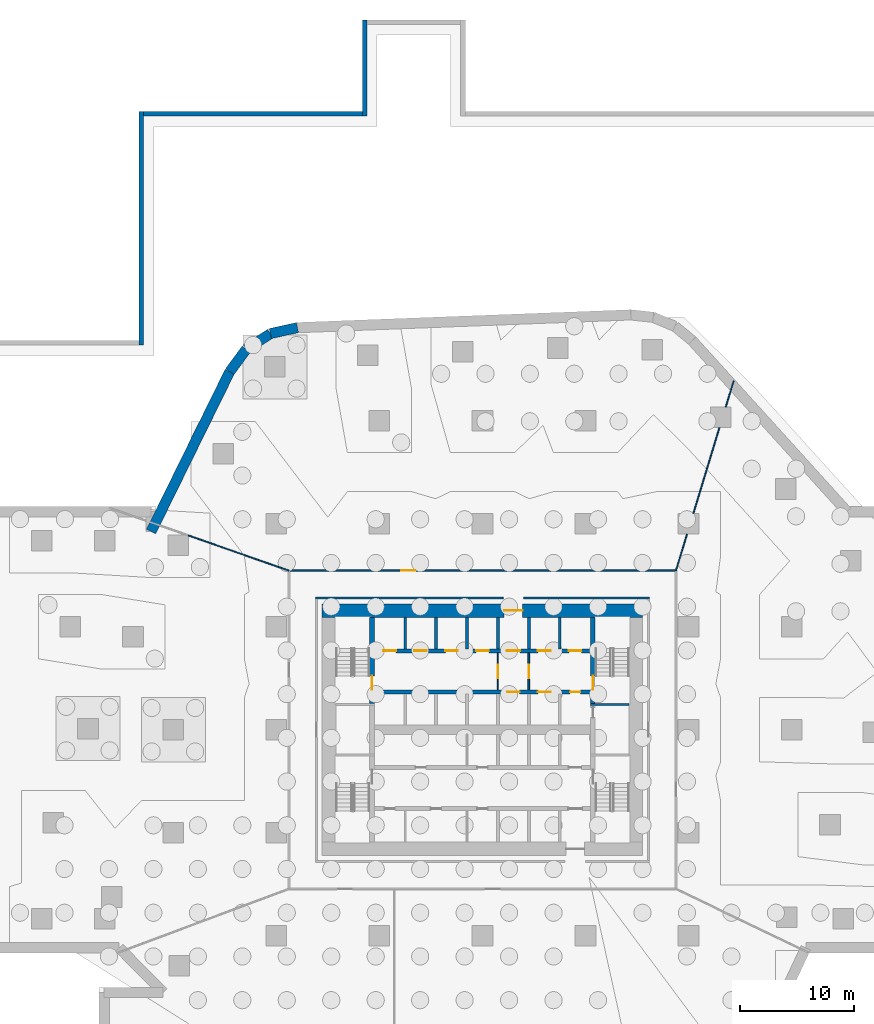
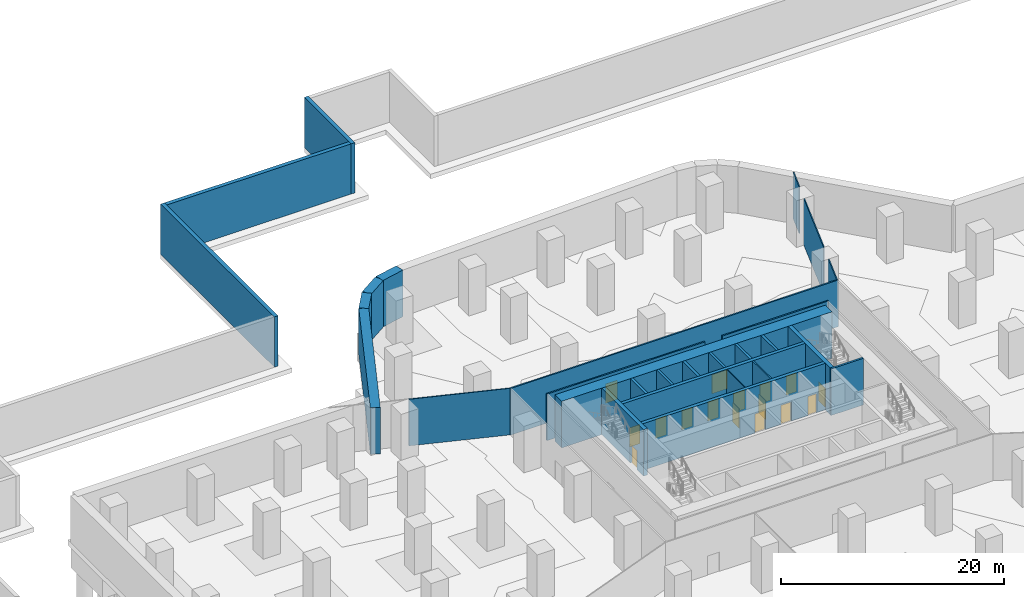
# One storey, part 9 of 12: 28 walls, 16 doors, 16 openings.
"""IFC4 building model written with IfcOpenShell, lengths in metres."""

import ifcopenshell
import ifcopenshell.guid

model = None  # the IFC model being written
_history = None  # IfcOwnerHistory: only IFC2X3 demands one
_inside = {}  # id of a spatial element -> (the spatial element, [elements in it])
_under = {}  # id of a project, library or spatial element -> (it, [spatial elements below it])
_declared = {}  # id of a project -> (the project, [libraries it declares])
_typed = {}  # id of a type object -> (the type object, [elements of that type])
_made_of = {}  # id of a material, layer set ... -> (it, [elements and type objects made of it])


def new_model(schema):
    """Start an empty IFC model of exactly this schema.

    Asked for "IFC4X3", IfcOpenShell would pick the latest addendum, in which some entities
    have other attributes; the version numbers below select the first issue.
    IFC2X3 requires an IfcOwnerHistory on every rooted entity: one is made here for all.
    """
    global model, _history
    if schema == "IFC4X3":
        model = ifcopenshell.file(schema_version=(4, 3, 0, 0))
    else:
        model = ifcopenshell.file(schema=schema)
    _inside.clear()
    _under.clear()
    _declared.clear()
    _typed.clear()
    _made_of.clear()
    _history = None
    if model.schema == "IFC2X3":
        org = make("IfcOrganization", Name="unknown")
        user = make(
            "IfcPersonAndOrganization",
            ThePerson=make("IfcPerson", FamilyName="unknown"),
            TheOrganization=org,
        )
        app = make(
            "IfcApplication",
            ApplicationDeveloper=org,
            Version="unknown",
            ApplicationFullName="unknown",
            ApplicationIdentifier="unknown",
        )
        _history = make(
            "IfcOwnerHistory",
            OwningUser=user,
            OwningApplication=app,
            ChangeAction="ADDED",
            CreationDate=0,
        )
    return model


def make(cls, **values):
    """One entity of the class cls with the attributes given. An attribute that is None is left unset."""
    return model.create_entity(
        cls, **{name: value for name, value in values.items() if value is not None}
    )


def rooted(cls, **values):
    """An entity with a GlobalId (a new one), such as an element, a storey or a relation."""
    return make(cls, GlobalId=ifcopenshell.guid.new(), OwnerHistory=_history, **values)


def si_unit(unit_type, name, prefix=None):
    """IfcSIUnit, for example si_unit("LENGTHUNIT", "METRE", prefix="MILLI")."""
    return make("IfcSIUnit", UnitType=unit_type, Prefix=prefix, Name=name)


def assignment(units):
    """IfcUnitAssignment: the units of a project."""
    return None if units is None else make("IfcUnitAssignment", Units=units)


def point(xyz):
    """IfcCartesianPoint."""
    return None if xyz is None else make("IfcCartesianPoint", Coordinates=xyz)


def direction(xyz):
    """IfcDirection."""
    return None if xyz is None else make("IfcDirection", DirectionRatios=xyz)


def frame(location, z_axis=None, x_axis=None):
    """IfcAxis2Placement3D, a coordinate frame: its origin and axes. An axis left out is left unset."""
    return make(
        "IfcAxis2Placement3D",
        Location=point(location),
        Axis=direction(z_axis),
        RefDirection=direction(x_axis),
    )


def frame_2d(location, x_axis=None):
    """IfcAxis2Placement2D, a coordinate frame in the plane: its origin and x axis."""
    return make(
        "IfcAxis2Placement2D", Location=point(location), RefDirection=direction(x_axis)
    )


def origin():
    """The frame at (0, 0, 0) with its axes left unset."""
    return frame((0.0, 0.0, 0.0))


def place(relative_to, where):
    """IfcLocalPlacement: puts the frame where relative to a parent placement (None: the world)."""
    return make(
        "IfcLocalPlacement", PlacementRelTo=relative_to, RelativePlacement=where
    )


def context(
    kind, dimensions, precision=None, world=None, true_north=None, identifier=None
):
    """IfcGeometricRepresentationContext, for example the 3D "Model" context."""
    return make(
        "IfcGeometricRepresentationContext",
        ContextIdentifier=identifier,
        ContextType=kind,
        CoordinateSpaceDimension=dimensions,
        Precision=precision,
        WorldCoordinateSystem=world,
        TrueNorth=true_north,
    )


def subcontext(parent, identifier, kind, view, scale=None):
    """IfcGeometricRepresentationSubContext, for example "Body" below "Model"."""
    return make(
        "IfcGeometricRepresentationSubContext",
        ContextIdentifier=identifier,
        ContextType=kind,
        ParentContext=parent,
        TargetScale=scale,
        TargetView=view,
    )


def project(units=None, contexts=None):
    """IfcProject with its units and contexts."""
    return rooted(
        "IfcProject",
        Name="project",
        RepresentationContexts=contexts,
        UnitsInContext=assignment(units),
    )


def spatial(cls, under=None, at=None, **own):
    """A site, building, storey or space (cls), placed at a placement, below another one or the project."""
    s = rooted(cls, ObjectPlacement=at, **own)
    if under is not None:
        _under.setdefault(under.id(), (under, []))[1].append(s)
    return s


def profile(cls, at=None, kind="AREA", **sizes):
    """A parametric profile (cls). Its sizes go by their IFC names, for example OverallWidth=200.0."""
    return make(cls, ProfileType=kind, Position=at, **sizes)


def rectangle(**sizes):
    """IfcRectangleProfileDef."""
    return profile("IfcRectangleProfileDef", **sizes)


def extrude(swept, where, along, depth):
    """IfcExtrudedAreaSolid: the profile swept, set in the frame where, extruded along a direction by depth."""
    return make(
        "IfcExtrudedAreaSolid",
        SweptArea=swept,
        Position=where,
        ExtrudedDirection=direction(along),
        Depth=depth,
    )


def shape(context_of_items, identifier, shape_type, items):
    """IfcShapeRepresentation: the items that make up one representation, for example the "Body"."""
    return make(
        "IfcShapeRepresentation",
        ContextOfItems=context_of_items,
        RepresentationIdentifier=identifier,
        RepresentationType=shape_type,
        Items=items,
    )


def material(Name=None, Category=None):
    """IfcMaterial."""
    return make("IfcMaterial", Name=Name, Category=Category)


def layer(
    of_material, thickness, ventilated=None, Name=None, Category=None, Priority=None
):
    """IfcMaterialLayer: one layer of a wall or slab, of a material (None: an air gap)."""
    return make(
        "IfcMaterialLayer",
        Material=of_material,
        LayerThickness=thickness,
        IsVentilated=ventilated,
        Name=Name,
        Category=Category,
        Priority=Priority,
    )


def layer_set(layers, Name=None):
    """IfcMaterialLayerSet."""
    return make("IfcMaterialLayerSet", MaterialLayers=layers, LayerSetName=Name)


def made_of(thing, what):
    """Note that an element or type object is made of a material, layer set ...; save() writes the relation."""
    if what is not None:
        _made_of.setdefault(what.id(), (what, []))[1].append(thing)
    return thing


def type_object(cls, material=None, **own):
    """A type object (cls), such as IfcWallType, which elements share."""
    return made_of(rooted(cls, **own), material)


def element(
    cls,
    number,
    at=None,
    inside=None,
    cuts=None,
    type_object=None,
    material=None,
    context=None,
    identifier="Body",
    shape_type=None,
    held_by="IfcProductDefinitionShape",
    body=None,
    shapes=None,
    **own,
):
    """One element of the class cls, such as IfcWall. Its Tag is "e" and its number.

    at: its placement. inside: the storey or other place that contains it. cuts: it is an
    opening in that element (IfcRelVoidsElement). A single representation is given by context,
    identifier, shape_type and body (its items); several are given by shapes. held_by: the class
    of the entity that holds the representations. save() writes the other relations.
    """
    e = rooted(cls, Tag="e%d" % number, ObjectPlacement=at, **own)
    if body is not None:
        shapes = [shape(context, identifier, shape_type, body)]
    if shapes is not None:
        e.Representation = make(held_by, Representations=shapes)
    if inside is not None:
        _inside.setdefault(inside.id(), (inside, []))[1].append(e)
    if cuts is not None:
        rooted(
            "IfcRelVoidsElement", RelatingBuildingElement=cuts, RelatedOpeningElement=e
        )
    if type_object is not None:
        _typed.setdefault(type_object.id(), (type_object, []))[1].append(e)
    return made_of(e, material)


def fill(opening, filler):
    """IfcRelFillsElement: the door or window that sits in an opening."""
    return rooted(
        "IfcRelFillsElement",
        RelatingOpeningElement=opening,
        RelatedBuildingElement=filler,
    )


def aggregate(whole, parts):
    """IfcRelAggregates: a whole, such as a stair, and the parts it consists of."""
    return rooted("IfcRelAggregates", RelatingObject=whole, RelatedObjects=parts)


def save(model, path):
    """Write the relations noted so far, then the file.

    IfcRelAggregates (storeys below a building ...), IfcRelContainedInSpatialStructure (elements
    in a storey), IfcRelDefinesByType, IfcRelAssociatesMaterial and IfcRelDeclares: one each for
    every whole, place, type object, material and project.
    """
    for whole, parts in _under.values():
        aggregate(whole, parts)
    for where, things in _inside.values():
        rooted(
            "IfcRelContainedInSpatialStructure",
            RelatedElements=things,
            RelatingStructure=where,
        )
    for kind, things in _typed.values():
        rooted("IfcRelDefinesByType", RelatedObjects=things, RelatingType=kind)
    for what, things in _made_of.values():
        rooted("IfcRelAssociatesMaterial", RelatedObjects=things, RelatingMaterial=what)
    for by, libraries in _declared.values():
        rooted("IfcRelDeclares", RelatingContext=by, RelatedDefinitions=libraries)
    model.write(path)


model = new_model("IFC4")

# Units and contexts
model_context = context("Model", 3, precision=1e-05, world=origin(), true_north=direction((0.0, 1.0)))
body_context = subcontext(model_context, "Body", "Model", "MODEL_VIEW")
ifc_project = project(units=[si_unit("LENGTHUNIT", "METRE"), si_unit("AREAUNIT", "SQUARE_METRE"), si_unit("VOLUMEUNIT", "CUBIC_METRE"), si_unit("PLANEANGLEUNIT", "RADIAN"), si_unit("MASSUNIT", "GRAM", prefix="KILO")], contexts=[model_context])

# Site, building, storey
site_placement = place(None, origin())
site = spatial("IfcSite", under=ifc_project, at=site_placement, CompositionType="ELEMENT")
building_placement = place(site_placement, origin())
building = spatial("IfcBuilding", under=site, at=building_placement, Name="Dongbaek Canopy Tower", CompositionType="ELEMENT")
storey_placement = place(building_placement, frame((0.0, 0.0, -17.0)))
storey = spatial("IfcBuildingStorey", under=building, at=storey_placement, Name="B3", CompositionType="ELEMENT", Elevation=-17.0)

# Wall, openings, doors
ifc_material_1 = material(Name="Concrete C60/75", Category="concrete")
ifc_layer_1 = layer(ifc_material_1, 0.35009765625)
ifc_layer_set_1 = layer_set([ifc_layer_1], Name="Core lobby wall 350 Concrete C60/75")
wall_type_1 = type_object("IfcWallType", Name="Core lobby wall 350 Concrete C60/75", PredefinedType="SHEAR", material=ifc_layer_set_1)
wall_1_placement = place(storey_placement, frame((-9.449951171875, 6.89990234375, 0.0), z_axis=(0.0, 0.0, 1.0), x_axis=(1.0, 0.0, 0.0)))
wall_1 = element("IfcWall", 1, at=wall_1_placement, inside=storey, type_object=wall_type_1, Name="Core wall", PredefinedType="SHEAR", context=body_context, shape_type="SweptSolid", body=[
    extrude(rectangle(XDim=18.89990234375, YDim=0.35009765625, at=frame_2d((9.449951171875, 0.0))), origin(), (0.0, 0.0, 1.0), 5.10009765625),
])
opening_1_placement = place(wall_1_placement, frame((0.800048828125, 0.0, 0.0)))
opening_1 = element("IfcOpeningElement", 2, at=opening_1_placement, cuts=wall_1, Name="Opening B3-D009", PredefinedType="OPENING", context=body_context, shape_type="SweptSolid", body=[
    extrude(rectangle(XDim=1.10009765625, YDim=2.10009765625, at=frame_2d((0.550048828125, 1.050048828125))), frame((0.0, 0.18505859375, 0.0), z_axis=(0.0, -1.0, 0.0), x_axis=(1.0, 0.0, 0.0)), (0.0, 0.0, 1.0), 0.3701171875),
])
opening_2_placement = place(wall_1_placement, frame((3.5, 0.0, 0.0)))
opening_2 = element("IfcOpeningElement", 3, at=opening_2_placement, cuts=wall_1, Name="Opening B3-D010", PredefinedType="OPENING", context=body_context, shape_type="SweptSolid", body=[
    extrude(rectangle(XDim=1.10009765625, YDim=2.10009765625, at=frame_2d((0.550048828125, 1.050048828125))), frame((0.0, 0.18505859375, 0.0), z_axis=(0.0, -1.0, 0.0), x_axis=(1.0, 0.0, 0.0)), (0.0, 0.0, 1.0), 0.3701171875),
])
opening_3_placement = place(wall_1_placement, frame((6.199951171875, 0.0, 0.0)))
opening_3 = element("IfcOpeningElement", 4, at=opening_3_placement, cuts=wall_1, Name="Opening B3-D011", PredefinedType="OPENING", context=body_context, shape_type="SweptSolid", body=[
    extrude(rectangle(XDim=1.10009765625, YDim=2.10009765625, at=frame_2d((0.550048828125, 1.050048828125))), frame((0.0, 0.18505859375, 0.0), z_axis=(0.0, -1.0, 0.0), x_axis=(1.0, 0.0, 0.0)), (0.0, 0.0, 1.0), 0.3701171875),
])
opening_4_placement = place(wall_1_placement, frame((8.89990234375, 0.0, 0.0)))
opening_4 = element("IfcOpeningElement", 5, at=opening_4_placement, cuts=wall_1, Name="Opening B3-D012", PredefinedType="OPENING", context=body_context, shape_type="SweptSolid", body=[
    extrude(rectangle(XDim=1.10009765625, YDim=2.10009765625, at=frame_2d((0.550048828125, 1.050048828125))), frame((0.0, 0.18505859375, 0.0), z_axis=(0.0, -1.0, 0.0), x_axis=(1.0, 0.0, 0.0)), (0.0, 0.0, 1.0), 0.3701171875),
])
opening_5_placement = place(wall_1_placement, frame((11.550048828125, 0.0, 0.0)))
opening_5 = element("IfcOpeningElement", 6, at=opening_5_placement, cuts=wall_1, Name="Opening B3-D014", PredefinedType="OPENING", context=body_context, shape_type="SweptSolid", body=[
    extrude(rectangle(XDim=1.199951171875, YDim=2.10009765625, at=frame_2d((0.60009765625, 1.050048828125))), frame((0.0, 0.18505859375, 0.0), z_axis=(0.0, -1.0, 0.0), x_axis=(1.0, 0.0, 0.0)), (0.0, 0.0, 1.0), 0.3701171875),
])
opening_6_placement = place(wall_1_placement, frame((14.300048828125, 0.0, 0.0)))
opening_6 = element("IfcOpeningElement", 7, at=opening_6_placement, cuts=wall_1, Name="Opening B3-D015", PredefinedType="OPENING", context=body_context, shape_type="SweptSolid", body=[
    extrude(rectangle(XDim=1.10009765625, YDim=2.10009765625, at=frame_2d((0.550048828125, 1.050048828125))), frame((0.0, 0.18505859375, 0.0), z_axis=(0.0, -1.0, 0.0), x_axis=(1.0, 0.0, 0.0)), (0.0, 0.0, 1.0), 0.3701171875),
])
opening_7_placement = place(wall_1_placement, frame((17.0, 0.0, 0.0)))
opening_7 = element("IfcOpeningElement", 8, at=opening_7_placement, cuts=wall_1, Name="Opening B3-D016", PredefinedType="OPENING", context=body_context, shape_type="SweptSolid", body=[
    extrude(rectangle(XDim=1.10009765625, YDim=2.10009765625, at=frame_2d((0.550048828125, 1.050048828125))), frame((0.0, 0.18505859375, 0.0), z_axis=(0.0, -1.0, 0.0), x_axis=(1.0, 0.0, 0.0)), (0.0, 0.0, 1.0), 0.3701171875),
])
ifc_material_2 = material(Name="Steel", Category="steel")
door_type_1 = type_object("IfcDoorType", Name="Fire lobby door 1200 x 2100", OperationType="SINGLE_SWING_LEFT", PredefinedType="DOOR", material=ifc_material_2)
door_1_placement = place(opening_5_placement, origin())
door_1 = element("IfcDoor", 9, at=door_1_placement, inside=storey, type_object=door_type_1, Name="Door B3-D014", OperationType="SINGLE_SWING_LEFT", OverallHeight=2.10009765625, OverallWidth=1.199951171875, PredefinedType="DOOR", context=body_context, shape_type="SweptSolid", body=[
    extrude(rectangle(XDim=1.199951171875, YDim=2.10009765625, at=frame_2d((0.60009765625, 1.050048828125))), frame((0.0, 0.02490234375, 0.0), z_axis=(0.0, -1.0, 0.0), x_axis=(1.0, 0.0, 0.0)), (0.0, 0.0, 1.0), 0.050048828125),
])
fill(opening_5, door_1)
ifc_material_3 = material(Name="Stainless steel", Category="steel")
door_type_2 = type_object("IfcDoorType", Name="Lift landing door 1100 x 2100", OperationType="DOUBLE_DOOR_SLIDING", PredefinedType="DOOR", material=ifc_material_3)
door_2_placement = place(opening_1_placement, origin())
door_2 = element("IfcDoor", 10, at=door_2_placement, inside=storey, type_object=door_type_2, Name="Landing door LR1", OperationType="DOUBLE_DOOR_SLIDING", OverallHeight=2.10009765625, OverallWidth=1.10009765625, PredefinedType="DOOR", context=body_context, shape_type="SweptSolid", body=[
    extrude(rectangle(XDim=1.10009765625, YDim=2.10009765625, at=frame_2d((0.550048828125, 1.050048828125))), frame((0.0, 0.02490234375, 0.0), z_axis=(0.0, -1.0, 0.0), x_axis=(1.0, 0.0, 0.0)), (0.0, 0.0, 1.0), 0.050048828125),
])
fill(opening_1, door_2)
door_3_placement = place(opening_2_placement, origin())
door_3 = element("IfcDoor", 11, at=door_3_placement, inside=storey, type_object=door_type_2, Name="Landing door LR2", OperationType="DOUBLE_DOOR_SLIDING", OverallHeight=2.10009765625, OverallWidth=1.10009765625, PredefinedType="DOOR", context=body_context, shape_type="SweptSolid", body=[
    extrude(rectangle(XDim=1.10009765625, YDim=2.10009765625, at=frame_2d((0.550048828125, 1.050048828125))), frame((0.0, 0.02490234375, 0.0), z_axis=(0.0, -1.0, 0.0), x_axis=(1.0, 0.0, 0.0)), (0.0, 0.0, 1.0), 0.050048828125),
])
fill(opening_2, door_3)
door_4_placement = place(opening_3_placement, origin())
door_4 = element("IfcDoor", 12, at=door_4_placement, inside=storey, type_object=door_type_2, Name="Landing door LR3", OperationType="DOUBLE_DOOR_SLIDING", OverallHeight=2.10009765625, OverallWidth=1.10009765625, PredefinedType="DOOR", context=body_context, shape_type="SweptSolid", body=[
    extrude(rectangle(XDim=1.10009765625, YDim=2.10009765625, at=frame_2d((0.550048828125, 1.050048828125))), frame((0.0, 0.02490234375, 0.0), z_axis=(0.0, -1.0, 0.0), x_axis=(1.0, 0.0, 0.0)), (0.0, 0.0, 1.0), 0.050048828125),
])
fill(opening_3, door_4)
door_5_placement = place(opening_4_placement, origin())
door_5 = element("IfcDoor", 13, at=door_5_placement, inside=storey, type_object=door_type_2, Name="Landing door LR4", OperationType="DOUBLE_DOOR_SLIDING", OverallHeight=2.10009765625, OverallWidth=1.10009765625, PredefinedType="DOOR", context=body_context, shape_type="SweptSolid", body=[
    extrude(rectangle(XDim=1.10009765625, YDim=2.10009765625, at=frame_2d((0.550048828125, 1.050048828125))), frame((0.0, 0.02490234375, 0.0), z_axis=(0.0, -1.0, 0.0), x_axis=(1.0, 0.0, 0.0)), (0.0, 0.0, 1.0), 0.050048828125),
])
fill(opening_4, door_5)
door_6_placement = place(opening_6_placement, origin())
door_6 = element("IfcDoor", 14, at=door_6_placement, inside=storey, type_object=door_type_2, Name="Landing door FF1", OperationType="DOUBLE_DOOR_SLIDING", OverallHeight=2.10009765625, OverallWidth=1.10009765625, PredefinedType="DOOR", context=body_context, shape_type="SweptSolid", body=[
    extrude(rectangle(XDim=1.10009765625, YDim=2.10009765625, at=frame_2d((0.550048828125, 1.050048828125))), frame((0.0, 0.02490234375, 0.0), z_axis=(0.0, -1.0, 0.0), x_axis=(1.0, 0.0, 0.0)), (0.0, 0.0, 1.0), 0.050048828125),
])
fill(opening_6, door_6)
door_7_placement = place(opening_7_placement, origin())
door_7 = element("IfcDoor", 15, at=door_7_placement, inside=storey, type_object=door_type_2, Name="Landing door FF2", OperationType="DOUBLE_DOOR_SLIDING", OverallHeight=2.10009765625, OverallWidth=1.10009765625, PredefinedType="DOOR", context=body_context, shape_type="SweptSolid", body=[
    extrude(rectangle(XDim=1.10009765625, YDim=2.10009765625, at=frame_2d((0.550048828125, 1.050048828125))), frame((0.0, 0.02490234375, 0.0), z_axis=(0.0, -1.0, 0.0), x_axis=(1.0, 0.0, 0.0)), (0.0, 0.0, 1.0), 0.050048828125),
])
fill(opening_7, door_7)

wall_2_placement = place(storey_placement, frame((9.449951171875, 3.300048828125, 0.0), z_axis=(0.0, 0.0, 1.0), x_axis=(-1.0, 0.0, 0.0)))
wall_2 = element("IfcWall", 16, at=wall_2_placement, inside=storey, type_object=wall_type_1, Name="Core wall", PredefinedType="SHEAR", context=body_context, shape_type="SweptSolid", body=[
    extrude(rectangle(XDim=18.89990234375, YDim=0.35009765625, at=frame_2d((9.449951171875, 0.0))), origin(), (0.0, 0.0, 1.0), 5.10009765625),
])
opening_8_placement = place(wall_2_placement, frame((6.199951171875, 0.0, 0.0)))
opening_8 = element("IfcOpeningElement", 17, at=opening_8_placement, cuts=wall_2, Name="Opening B3-D017", PredefinedType="OPENING", context=body_context, shape_type="SweptSolid", body=[
    extrude(rectangle(XDim=1.10009765625, YDim=2.10009765625, at=frame_2d((0.550048828125, 1.050048828125))), frame((0.0, 0.18505859375, 0.0), z_axis=(0.0, -1.0, 0.0), x_axis=(1.0, 0.0, 0.0)), (0.0, 0.0, 1.0), 0.3701171875),
])
opening_9_placement = place(wall_2_placement, frame((3.5, 0.0, 0.0)))
opening_9 = element("IfcOpeningElement", 18, at=opening_9_placement, cuts=wall_2, Name="Opening B3-D018", PredefinedType="OPENING", context=body_context, shape_type="SweptSolid", body=[
    extrude(rectangle(XDim=1.10009765625, YDim=2.10009765625, at=frame_2d((0.550048828125, 1.050048828125))), frame((0.0, 0.18505859375, 0.0), z_axis=(0.0, -1.0, 0.0), x_axis=(1.0, 0.0, 0.0)), (0.0, 0.0, 1.0), 0.3701171875),
])
opening_10_placement = place(wall_2_placement, frame((0.89990234375, 0.0, 0.0)))
opening_10 = element("IfcOpeningElement", 19, at=opening_10_placement, cuts=wall_2, Name="Opening B3-D019", PredefinedType="OPENING", context=body_context, shape_type="SweptSolid", body=[
    extrude(rectangle(XDim=0.89990234375, YDim=2.10009765625, at=frame_2d((0.449951171875, 1.050048828125))), frame((0.0, 0.18505859375, 0.0), z_axis=(0.0, -1.0, 0.0), x_axis=(1.0, 0.0, 0.0)), (0.0, 0.0, 1.0), 0.3701171875),
])
ifc_material_4 = material(Name="Steel", Category="steel")
door_type_3 = type_object("IfcDoorType", Name="Core room door 900 x 2100", OperationType="SINGLE_SWING_LEFT", PredefinedType="DOOR", material=ifc_material_4)
door_8_placement = place(opening_10_placement, origin())
door_8 = element("IfcDoor", 20, at=door_8_placement, inside=storey, type_object=door_type_3, Name="Door B3-D019", OperationType="SINGLE_SWING_LEFT", OverallHeight=2.10009765625, OverallWidth=0.89990234375, PredefinedType="DOOR", context=body_context, shape_type="SweptSolid", body=[
    extrude(rectangle(XDim=0.89990234375, YDim=2.10009765625, at=frame_2d((0.449951171875, 1.050048828125))), frame((0.0, 0.02490234375, 0.0), z_axis=(0.0, -1.0, 0.0), x_axis=(1.0, 0.0, 0.0)), (0.0, 0.0, 1.0), 0.050048828125),
])
fill(opening_10, door_8)
door_9_placement = place(opening_8_placement, origin())
door_9 = element("IfcDoor", 21, at=door_9_placement, inside=storey, type_object=door_type_2, Name="Landing door SV1", OperationType="DOUBLE_DOOR_SLIDING", OverallHeight=2.10009765625, OverallWidth=1.10009765625, PredefinedType="DOOR", context=body_context, shape_type="SweptSolid", body=[
    extrude(rectangle(XDim=1.10009765625, YDim=2.10009765625, at=frame_2d((0.550048828125, 1.050048828125))), frame((0.0, 0.02490234375, 0.0), z_axis=(0.0, -1.0, 0.0), x_axis=(1.0, 0.0, 0.0)), (0.0, 0.0, 1.0), 0.050048828125),
])
fill(opening_8, door_9)
door_10_placement = place(opening_9_placement, origin())
door_10 = element("IfcDoor", 22, at=door_10_placement, inside=storey, type_object=door_type_2, Name="Landing door FF3", OperationType="DOUBLE_DOOR_SLIDING", OverallHeight=2.10009765625, OverallWidth=1.10009765625, PredefinedType="DOOR", context=body_context, shape_type="SweptSolid", body=[
    extrude(rectangle(XDim=1.10009765625, YDim=2.10009765625, at=frame_2d((0.550048828125, 1.050048828125))), frame((0.0, 0.02490234375, 0.0), z_axis=(0.0, -1.0, 0.0), x_axis=(1.0, 0.0, 0.0)), (0.0, 0.0, 1.0), 0.050048828125),
])
fill(opening_9, door_10)

# Wall, opening, door
ifc_material_5 = material(Name="Concrete C60/75", Category="concrete")
ifc_layer_2 = layer(ifc_material_5, 1.199951171875)
ifc_layer_set_2 = layer_set([ifc_layer_2], Name="Core outer wall 1200 Concrete C60/75")
wall_type_2 = type_object("IfcWallType", Name="Core outer wall 1200 Concrete C60/75", PredefinedType="SHEAR", material=ifc_layer_set_2)
wall_3_placement = place(storey_placement, frame((-14.0, 10.39990234375, 0.0), z_axis=(0.0, 0.0, 1.0), x_axis=(1.0, 0.0, 0.0)))
wall_3 = element("IfcWall", 23, at=wall_3_placement, inside=storey, type_object=wall_type_2, Name="Core wall", PredefinedType="SHEAR", context=body_context, shape_type="SweptSolid", body=[
    extrude(rectangle(XDim=28.0, YDim=1.199951171875, at=frame_2d((14.0, 0.0))), origin(), (0.0, 0.0, 1.0), 5.10009765625),
])
opening_11_placement = place(wall_3_placement, frame((15.89990234375, 0.0, 0.0)))
opening_11 = element("IfcOpeningElement", 24, at=opening_11_placement, cuts=wall_3, Name="Opening B3-D013", PredefinedType="OPENING", context=body_context, shape_type="SweptSolid", body=[
    extrude(rectangle(XDim=1.60009765625, YDim=2.10009765625, at=frame_2d((0.800048828125, 1.050048828125))), frame((0.0, 0.60986328125, 0.0), z_axis=(0.0, -1.0, 0.0), x_axis=(1.0, 0.0, 0.0)), (0.0, 0.0, 1.0), 1.219970703125),
])
ifc_material_6 = material(Name="Steel", Category="steel")
door_type_4 = type_object("IfcDoorType", Name="Core exit door 1600 x 2100", OperationType="DOUBLE_DOOR_SINGLE_SWING", PredefinedType="DOOR", material=ifc_material_6)
door_11_placement = place(opening_11_placement, origin())
door_11 = element("IfcDoor", 25, at=door_11_placement, inside=storey, type_object=door_type_4, Name="Core exit door", OperationType="DOUBLE_DOOR_SINGLE_SWING", OverallHeight=2.10009765625, OverallWidth=1.60009765625, PredefinedType="DOOR", context=body_context, shape_type="SweptSolid", body=[
    extrude(rectangle(XDim=1.60009765625, YDim=2.10009765625, at=frame_2d((0.800048828125, 1.050048828125))), frame((0.0, 0.02490234375, 0.0), z_axis=(0.0, -1.0, 0.0), x_axis=(1.0, 0.0, 0.0)), (0.0, 0.0, 1.0), 0.050048828125),
])
fill(opening_11, door_11)

# Walls
ifc_material_7 = material(Name="Gypsum board partition, steel stud, 2 x 15 mm fire board", Category="steel")
ifc_layer_3 = layer(ifc_material_7, 0.14990234375)
ifc_layer_set_3 = layer_set([ifc_layer_3], Name="Fire-rated partition 150 gypsum board")
wall_type_3 = type_object("IfcWallType", Name="Fire-rated partition 150 gypsum board", PredefinedType="PARTITIONING", material=ifc_layer_set_3)
wall_4_placement = place(storey_placement, frame((-14.574951171875, 11.5, 0.0), z_axis=(0.0, 0.0, 1.0), x_axis=(1.0, 0.0, 0.0)))
element("IfcWall", 26, at=wall_4_placement, inside=storey, type_object=wall_type_3, Name="Corridor partition", PredefinedType="PARTITIONING", context=body_context, shape_type="SweptSolid", body=[
    extrude(rectangle(XDim=16.375, YDim=0.14990234375, at=frame_2d((8.1875, 0.0))), origin(), (0.0, 0.0, 1.0), 5.10009765625),
])
wall_5_placement = place(storey_placement, frame((3.60009765625, 11.5, 0.0), z_axis=(0.0, 0.0, 1.0), x_axis=(1.0, 0.0, 0.0)))
element("IfcWall", 27, at=wall_5_placement, inside=storey, type_object=wall_type_3, Name="Corridor partition", PredefinedType="PARTITIONING", context=body_context, shape_type="SweptSolid", body=[
    extrude(rectangle(XDim=10.974853515625, YDim=0.14990234375, at=frame_2d((5.4873046875, 0.0))), origin(), (0.0, 0.0, 1.0), 5.10009765625),
])

# Wall, opening, door
wall_6_placement = place(storey_placement, frame((-16.97509765625, 13.89990234375, 0.0), z_axis=(0.0, 0.0, 1.0), x_axis=(1.0, 0.0, 0.0)))
wall_6 = element("IfcWall", 28, at=wall_6_placement, inside=storey, type_object=wall_type_3, Name="Corridor partition", PredefinedType="PARTITIONING", context=body_context, shape_type="SweptSolid", body=[
    extrude(rectangle(XDim=33.9501953125, YDim=0.14990234375, at=frame_2d((16.97509765625, 0.0))), origin(), (0.0, 0.0, 1.0), 5.10009765625),
])
opening_12_placement = place(wall_6_placement, frame((9.887451171875, 0.0, 0.0)))
opening_12 = element("IfcOpeningElement", 29, at=opening_12_placement, cuts=wall_6, Name="Opening B3-D005", PredefinedType="OPENING", context=body_context, shape_type="SweptSolid", body=[
    extrude(rectangle(XDim=1.199951171875, YDim=2.10009765625, at=frame_2d((0.60009765625, 1.050048828125))), frame((0.0, 0.0849609375, 0.0), z_axis=(0.0, -1.0, 0.0), x_axis=(1.0, 0.0, 0.0)), (0.0, 0.0, 1.0), 0.169921875),
])
ifc_material_8 = material(Name="Timber veneered door leaf", Category="wood")
door_type_5 = type_object("IfcDoorType", Name="Room door 1200 x 2100", OperationType="SINGLE_SWING_LEFT", PredefinedType="DOOR", material=ifc_material_8)
door_12_placement = place(opening_12_placement, origin())
door_12 = element("IfcDoor", 30, at=door_12_placement, inside=storey, type_object=door_type_5, Name="Door B3-D005", OperationType="SINGLE_SWING_RIGHT", OverallHeight=2.10009765625, OverallWidth=1.199951171875, PredefinedType="DOOR", context=body_context, shape_type="SweptSolid", body=[
    extrude(rectangle(XDim=1.199951171875, YDim=2.10009765625, at=frame_2d((0.60009765625, 1.050048828125))), frame((0.0, 0.02490234375, 0.0), z_axis=(0.0, -1.0, 0.0), x_axis=(1.0, 0.0, 0.0)), (0.0, 0.0, 1.0), 0.050048828125),
])
fill(opening_12, door_12)

wall_7_placement = place(storey_placement, frame((4.050048828125, 6.72509765625, 0.0), z_axis=(0.0, 0.0, 1.0), x_axis=(0.0, -1.0, 0.0)))
wall_7 = element("IfcWall", 31, at=wall_7_placement, inside=storey, type_object=wall_type_3, Name="Fire lobby partition", PredefinedType="PARTITIONING", context=body_context, shape_type="SweptSolid", body=[
    extrude(rectangle(XDim=3.25, YDim=0.14990234375, at=frame_2d((1.625, 0.0))), origin(), (0.0, 0.0, 1.0), 5.10009765625),
])
opening_13_placement = place(wall_7_placement, frame((1.02490234375, 0.0, 0.0)))
opening_13 = element("IfcOpeningElement", 32, at=opening_13_placement, cuts=wall_7, Name="Opening B3-D033", PredefinedType="OPENING", context=body_context, shape_type="SweptSolid", body=[
    extrude(rectangle(XDim=1.199951171875, YDim=2.10009765625, at=frame_2d((0.60009765625, 1.050048828125))), frame((0.0, 0.0849609375, 0.0), z_axis=(0.0, -1.0, 0.0), x_axis=(1.0, 0.0, 0.0)), (0.0, 0.0, 1.0), 0.169921875),
])
door_13_placement = place(opening_13_placement, origin())
door_13 = element("IfcDoor", 33, at=door_13_placement, inside=storey, type_object=door_type_1, Name="Door B3-D033", OperationType="SINGLE_SWING_RIGHT", OverallHeight=2.10009765625, OverallWidth=1.199951171875, PredefinedType="DOOR", context=body_context, shape_type="SweptSolid", body=[
    extrude(rectangle(XDim=1.199951171875, YDim=2.10009765625, at=frame_2d((0.60009765625, 1.050048828125))), frame((0.0, 0.02490234375, 0.0), z_axis=(0.0, -1.0, 0.0), x_axis=(1.0, 0.0, 0.0)), (0.0, 0.0, 1.0), 0.050048828125),
])
fill(opening_13, door_13)

# Walls
ifc_material_9 = material(Name="Concrete C40/50", Category="concrete")
ifc_layer_4 = layer(ifc_material_9, 0.25)
ifc_layer_set_4 = layer_set([ifc_layer_4], Name="Lift shaft wall 250 Concrete C40/50")
wall_type_4 = type_object("IfcWallType", Name="Lift shaft wall 250 Concrete C40/50", PredefinedType="SOLIDWALL", material=ifc_layer_set_4)
for number, where, z_axis, x_axis, name in (
    (34, (6.75, 7.074951171875, 0.0), (0.0, 0.0, 1.0), (0.0, 1.0, 0.0), "Lift shaft wall"),
    (35, (4.050048828125, 7.074951171875, 0.0), (0.0, 0.0, 1.0), (0.0, 1.0, 0.0), "Lift shaft wall"),
    (36, (1.35009765625, 7.074951171875, 0.0), (0.0, 0.0, 1.0), (0.0, 1.0, 0.0), "Lift shaft wall"),
    (37, (-1.35009765625, 7.074951171875, 0.0), (0.0, 0.0, 1.0), (0.0, 1.0, 0.0), "Lift shaft wall"),
    (38, (-4.050048828125, 7.074951171875, 0.0), (0.0, 0.0, 1.0), (0.0, 1.0, 0.0), "Lift shaft wall"),
    (39, (-6.75, 7.074951171875, 0.0), (0.0, 0.0, 1.0), (0.0, 1.0, 0.0), "Lift shaft wall"),
):
    element("IfcWall", number, at=place(storey_placement, frame(where, z_axis=z_axis, x_axis=x_axis)), inside=storey, type_object=wall_type_4, Name=name, PredefinedType="SOLIDWALL", context=body_context, shape_type="SweptSolid", body=[
        extrude(rectangle(XDim=2.72509765625, YDim=0.25, at=frame_2d((1.362548828125, 0.0))), origin(), (0.0, 0.0, 1.0), 5.10009765625),
    ])
ifc_material_10 = material(Name="Gypsum board partition, steel stud, 2 x 12.5 mm board", Category="steel")
ifc_layer_5 = layer(ifc_material_10, 0.10009765625)
ifc_layer_set_5 = layer_set([ifc_layer_5], Name="Partition 100 gypsum board")
wall_type_5 = type_object("IfcWallType", Name="Partition 100 gypsum board", PredefinedType="PARTITIONING", material=ifc_layer_set_5)
wall_8_placement = place(storey_placement, frame((16.900146484375, 13.89990234375, 0.0), z_axis=(0.0, 0.0, 1.0), x_axis=(0.291202273884, 0.95666150528, 0.0)))
element("IfcWall", 40, at=wall_8_placement, inside=storey, type_object=wall_type_5, Name="Partition", PredefinedType="PARTITIONING", context=body_context, shape_type="SweptSolid", body=[
    extrude(rectangle(XDim=3.34521484375, YDim=0.10009765625, at=frame_2d((1.672607421875, 0.0))), origin(), (0.0, 0.0, 1.0), 5.10009765625),
])
wall_9_placement = place(storey_placement, frame((18.422119140625, 18.89990234375, 0.0), z_axis=(0.0, 0.0, 1.0), x_axis=(0.291192607523, 0.956664447611, 0.0)))
element("IfcWall", 41, at=wall_9_placement, inside=storey, type_object=wall_type_5, Name="Partition", PredefinedType="PARTITIONING", context=body_context, shape_type="SweptSolid", body=[
    extrude(rectangle(XDim=7.836669921875, YDim=0.10009765625, at=frame_2d((3.91845703125, 0.0))), origin(), (0.0, 0.0, 1.0), 5.10009765625),
])
wall_10_placement = place(storey_placement, frame((21.252197265625, 28.197021484375, 0.0), z_axis=(0.0, 0.0, 1.0), x_axis=(0.291210561393, 0.956658982571, 0.0)))
element("IfcWall", 42, at=wall_10_placement, inside=storey, type_object=wall_type_5, Name="Partition", PredefinedType="PARTITIONING", context=body_context, shape_type="SweptSolid", body=[
    extrude(rectangle(XDim=2.3818359375, YDim=0.10009765625, at=frame_2d((1.19091796875, 0.0))), origin(), (0.0, 0.0, 1.0), 5.10009765625),
])
wall_11_placement = place(storey_placement, frame((-25.68603515625, 16.969482421875, 0.0), z_axis=(0.0, 0.0, 1.0), x_axis=(0.944025503462, -0.329872473561, 0.0)))
element("IfcWall", 43, at=wall_11_placement, inside=storey, type_object=wall_type_5, Name="Partition", PredefinedType="PARTITIONING", context=body_context, shape_type="SweptSolid", body=[
    extrude(rectangle(XDim=9.306884765625, YDim=0.10009765625, at=frame_2d((4.6533203125, 0.0))), origin(), (0.0, 0.0, 1.0), 5.10009765625),
])

# Wall, opening, door
wall_12_placement = place(storey_placement, frame((1.35009765625, 6.72509765625, 0.0), z_axis=(0.0, 0.0, 1.0), x_axis=(0.0, -1.0, 0.0)))
wall_12 = element("IfcWall", 44, at=wall_12_placement, inside=storey, type_object=wall_type_5, Name="Core partition", PredefinedType="PARTITIONING", context=body_context, shape_type="SweptSolid", body=[
    extrude(rectangle(XDim=3.25, YDim=0.10009765625, at=frame_2d((1.625, 0.0))), origin(), (0.0, 0.0, 1.0), 5.10009765625),
])
opening_14_placement = place(wall_12_placement, frame((1.02490234375, 0.0, 0.0)))
opening_14 = element("IfcOpeningElement", 45, at=opening_14_placement, cuts=wall_12, Name="Opening B3-D032", PredefinedType="OPENING", context=body_context, shape_type="SweptSolid", body=[
    extrude(rectangle(XDim=1.199951171875, YDim=2.10009765625, at=frame_2d((0.60009765625, 1.050048828125))), frame((0.0, 0.06005859375, 0.0), z_axis=(0.0, -1.0, 0.0), x_axis=(1.0, 0.0, 0.0)), (0.0, 0.0, 1.0), 0.1201171875),
])
door_14_placement = place(opening_14_placement, origin())
door_14 = element("IfcDoor", 46, at=door_14_placement, inside=storey, type_object=door_type_1, Name="Door B3-D032", OperationType="SINGLE_SWING_LEFT", OverallHeight=2.10009765625, OverallWidth=1.199951171875, PredefinedType="DOOR", context=body_context, shape_type="SweptSolid", body=[
    extrude(rectangle(XDim=1.199951171875, YDim=2.10009765625, at=frame_2d((0.60009765625, 1.050048828125))), frame((0.0, 0.02490234375, 0.0), z_axis=(0.0, -1.0, 0.0), x_axis=(1.0, 0.0, 0.0)), (0.0, 0.0, 1.0), 0.050048828125),
])
fill(opening_14, door_14)

# Walls
ifc_material_11 = material(Name="Concrete C40/50", Category="concrete")
ifc_layer_6 = layer(ifc_material_11, 0.39990234375)
ifc_layer_set_6 = layer_set([ifc_layer_6], Name="Plaza plinth wall 400")
wall_type_6 = type_object("IfcWallType", Name="Plaza plinth wall 400", PredefinedType="SOLIDWALL", material=ifc_layer_set_6)
wall_13_placement = place(storey_placement, frame((-29.800048828125, 33.60009765625, 0.0), z_axis=(0.0, 0.0, 1.0), x_axis=(0.0, 1.0, 0.0)))
element("IfcWall", 47, at=wall_13_placement, inside=storey, type_object=wall_type_6, Name="Plaza plinth wall 73", PredefinedType="SOLIDWALL", context=body_context, shape_type="SweptSolid", body=[
    extrude(rectangle(XDim=20.39990234375, YDim=0.39990234375, at=frame_2d((10.199951171875, 0.0))), origin(), (0.0, 0.0, 1.0), 5.5),
])
wall_14_placement = place(storey_placement, frame((-29.60009765625, 53.800048828125, 0.0), z_axis=(0.0, 0.0, 1.0), x_axis=(1.0, 0.0, 0.0)))
element("IfcWall", 48, at=wall_14_placement, inside=storey, type_object=wall_type_6, Name="Plaza plinth wall 74", PredefinedType="SOLIDWALL", context=body_context, shape_type="SweptSolid", body=[
    extrude(rectangle(XDim=19.10009765625, YDim=0.39990234375, at=frame_2d((9.550048828125, 0.0))), origin(), (0.0, 0.0, 1.0), 5.5),
])
wall_15_placement = place(storey_placement, frame((-10.300048828125, 53.60009765625, 0.0), z_axis=(0.0, 0.0, 1.0), x_axis=(0.0, 1.0, 0.0)))
element("IfcWall", 49, at=wall_15_placement, inside=storey, type_object=wall_type_6, Name="Plaza plinth wall 76", PredefinedType="SOLIDWALL", context=body_context, shape_type="SweptSolid", body=[
    extrude(rectangle(XDim=8.39990234375, YDim=0.39990234375, at=frame_2d((4.199951171875, 0.0))), origin(), (0.0, 0.0, 1.0), 5.5),
])
ifc_material_12 = material(Name="Concrete C40", Category="concrete")
ifc_layer_7 = layer(ifc_material_12, 0.89990234375)
ifc_layer_set_7 = layer_set([ifc_layer_7], Name="RC RETAINING WALL 900 Concrete C40")
wall_type_7 = type_object("IfcWallType", Name="RC RETAINING WALL 900 Concrete C40", PredefinedType="SHEAR", material=ifc_layer_set_7)
wall_16_placement = place(storey_placement, frame((-28.949951171875, 17.31689453125, 0.0), z_axis=(0.0, 0.0, 1.0), x_axis=(0.441350917098, 0.897334590873, 0.0)))
element("IfcWall", 50, at=wall_16_placement, inside=storey, type_object=wall_type_7, Name="RWALL:B3:07", PredefinedType="SHEAR", context=body_context, shape_type="SweptSolid", body=[
    extrude(rectangle(XDim=15.566650390625, YDim=0.89990234375, at=frame_2d((7.783203125, 0.0))), origin(), (0.0, 0.0, 1.0), 5.10009765625),
])
wall_17_placement = place(storey_placement, frame((-22.07958984375, 31.285400390625, 0.0), z_axis=(0.0, 0.0, 1.0), x_axis=(0.594215473741, 0.804305893779, 0.0)))
element("IfcWall", 51, at=wall_17_placement, inside=storey, type_object=wall_type_7, Name="RWALL:B3:08", PredefinedType="SHEAR", context=body_context, shape_type="SweptSolid", body=[
    extrude(rectangle(XDim=2.424072265625, YDim=0.89990234375, at=frame_2d((1.2119140625, 0.0))), origin(), (0.0, 0.0, 1.0), 5.10009765625),
])
wall_18_placement = place(storey_placement, frame((-20.63916015625, 33.235107421875, 0.0), z_axis=(0.0, 0.0, 1.0), x_axis=(0.838638354795, 0.544688635705, 0.0)))
element("IfcWall", 52, at=wall_18_placement, inside=storey, type_object=wall_type_7, Name="RWALL:B3:09", PredefinedType="SHEAR", context=body_context, shape_type="SweptSolid", body=[
    extrude(rectangle(XDim=2.519775390625, YDim=0.89990234375, at=frame_2d((1.259765625, 0.0))), origin(), (0.0, 0.0, 1.0), 5.10009765625),
])
wall_19_placement = place(storey_placement, frame((-18.52587890625, 34.607666015625, 0.0), z_axis=(0.0, 0.0, 1.0), x_axis=(0.976451748541, 0.215735909786, 0.0)))
element("IfcWall", 53, at=wall_19_placement, inside=storey, type_object=wall_type_7, Name="RWALL:B3:10", PredefinedType="SHEAR", context=body_context, shape_type="SweptSolid", body=[
    extrude(rectangle(XDim=2.424072265625, YDim=0.89990234375, at=frame_2d((1.2119140625, 0.0))), origin(), (0.0, 0.0, 1.0), 5.10009765625),
])
ifc_material_13 = material(Name="Concrete C60/75", Category="concrete")
ifc_layer_8 = layer(ifc_material_13, 0.199951171875)
ifc_layer_set_8 = layer_set([ifc_layer_8], Name="Riser wall 200 Concrete C60/75")
wall_type_8 = type_object("IfcWallType", Name="Riser wall 200 Concrete C60/75", PredefinedType="SHEAR", material=ifc_layer_set_8)
wall_20_placement = place(storey_placement, frame((9.449951171875, 2.199951171875, 0.0), z_axis=(0.0, 0.0, 1.0), x_axis=(1.0, 0.0, 0.0)))
element("IfcWall", 54, at=wall_20_placement, inside=storey, type_object=wall_type_8, Name="Riser wall", PredefinedType="SHEAR", context=body_context, shape_type="SweptSolid", body=[
    extrude(rectangle(XDim=3.35009765625, YDim=0.199951171875, at=frame_2d((1.675048828125, 0.0))), origin(), (0.0, 0.0, 1.0), 5.10009765625),
])

# Wall, opening, door
ifc_material_14 = material(Name="Concrete C60/75", Category="concrete")
ifc_layer_9 = layer(ifc_material_14, 0.39990234375)
ifc_layer_set_9 = layer_set([ifc_layer_9], Name="Stair wall 400 Concrete C60/75")
wall_type_9 = type_object("IfcWallType", Name="Stair wall 400 Concrete C60/75", PredefinedType="SHEAR", material=ifc_layer_set_9)
wall_21_placement = place(storey_placement, frame((9.64990234375, 9.800048828125, 0.0), z_axis=(0.0, 0.0, 1.0), x_axis=(0.0, -1.0, 0.0)))
wall_21 = element("IfcWall", 55, at=wall_21_placement, inside=storey, type_object=wall_type_9, Name="Stair wall", PredefinedType="SHEAR", context=body_context, shape_type="SweptSolid", body=[
    extrude(rectangle(XDim=7.5, YDim=0.39990234375, at=frame_2d((3.75, 0.0))), origin(), (0.0, 0.0, 1.0), 5.10009765625),
])
opening_15_placement = place(wall_21_placement, frame((5.10009765625, 0.0, 0.0)))
opening_15 = element("IfcOpeningElement", 56, at=opening_15_placement, cuts=wall_21, Name="Opening B3-D028", PredefinedType="OPENING", context=body_context, shape_type="SweptSolid", body=[
    extrude(rectangle(XDim=1.199951171875, YDim=2.10009765625, at=frame_2d((0.60009765625, 1.050048828125))), frame((0.0, 0.2099609375, 0.0), z_axis=(0.0, -1.0, 0.0), x_axis=(1.0, 0.0, 0.0)), (0.0, 0.0, 1.0), 0.419921875),
])
ifc_material_15 = material(Name="Steel", Category="steel")
door_type_6 = type_object("IfcDoorType", Name="Stair door 1200 x 2100", OperationType="SINGLE_SWING_LEFT", PredefinedType="DOOR", material=ifc_material_15)
door_15_placement = place(opening_15_placement, origin())
door_15 = element("IfcDoor", 57, at=door_15_placement, inside=storey, type_object=door_type_6, Name="Stair A door", OperationType="SINGLE_SWING_LEFT", OverallHeight=2.10009765625, OverallWidth=1.199951171875, PredefinedType="DOOR", context=body_context, shape_type="SweptSolid", body=[
    extrude(rectangle(XDim=1.199951171875, YDim=2.10009765625, at=frame_2d((0.60009765625, 1.050048828125))), frame((0.0, 0.02490234375, 0.0), z_axis=(0.0, -1.0, 0.0), x_axis=(1.0, 0.0, 0.0)), (0.0, 0.0, 1.0), 0.050048828125),
])
fill(opening_15, door_15)

wall_22_placement = place(storey_placement, frame((-9.64990234375, 2.300048828125, 0.0), z_axis=(0.0, 0.0, 1.0), x_axis=(0.0, 1.0, 0.0)))
wall_22 = element("IfcWall", 58, at=wall_22_placement, inside=storey, type_object=wall_type_9, Name="Stair wall", PredefinedType="SHEAR", context=body_context, shape_type="SweptSolid", body=[
    extrude(rectangle(XDim=7.5, YDim=0.39990234375, at=frame_2d((3.75, 0.0))), origin(), (0.0, 0.0, 1.0), 5.10009765625),
])
opening_16_placement = place(wall_22_placement, frame((1.199951171875, 0.0, 0.0)))
opening_16 = element("IfcOpeningElement", 59, at=opening_16_placement, cuts=wall_22, Name="Opening B3-D029", PredefinedType="OPENING", context=body_context, shape_type="SweptSolid", body=[
    extrude(rectangle(XDim=1.199951171875, YDim=2.10009765625, at=frame_2d((0.60009765625, 1.050048828125))), frame((0.0, 0.2099609375, 0.0), z_axis=(0.0, -1.0, 0.0), x_axis=(1.0, 0.0, 0.0)), (0.0, 0.0, 1.0), 0.419921875),
])
door_16_placement = place(opening_16_placement, origin())
door_16 = element("IfcDoor", 60, at=door_16_placement, inside=storey, type_object=door_type_6, Name="Stair C door", OperationType="SINGLE_SWING_RIGHT", OverallHeight=2.10009765625, OverallWidth=1.199951171875, PredefinedType="DOOR", context=body_context, shape_type="SweptSolid", body=[
    extrude(rectangle(XDim=1.199951171875, YDim=2.10009765625, at=frame_2d((0.60009765625, 1.050048828125))), frame((0.0, 0.02490234375, 0.0), z_axis=(0.0, -1.0, 0.0), x_axis=(1.0, 0.0, 0.0)), (0.0, 0.0, 1.0), 0.050048828125),
])
fill(opening_16, door_16)

save(model, "model.ifc")
